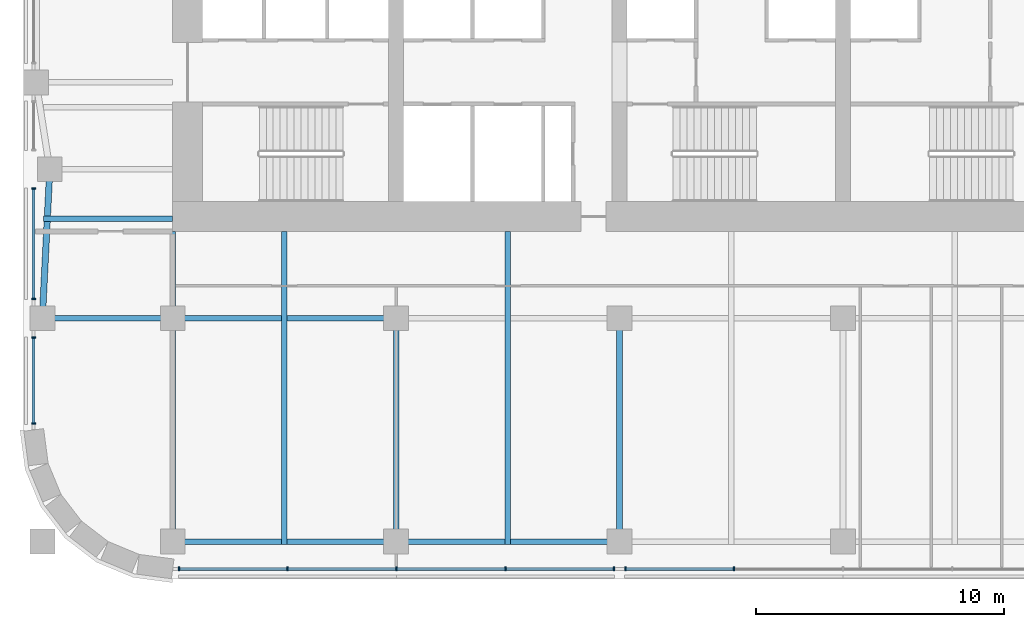
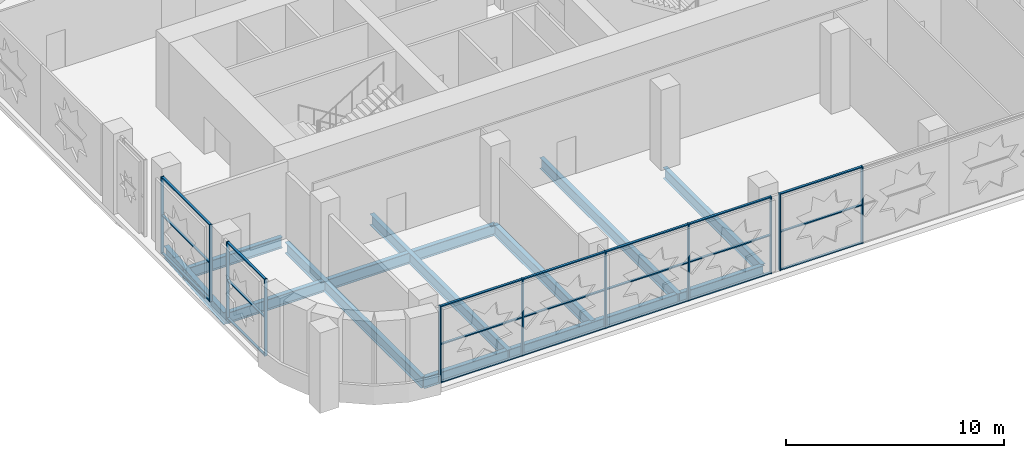
# One storey, part 2 of 24: 32 members, 9 beams, 4 elements without a shape of their own.
"""IFC4 building model written with IfcOpenShell, lengths in metres."""

from ifc_helpers import new_model, si_unit, direction, frame, origin, origin_2d, place, context, subcontext, project, spatial, rectangle, i_section, extrude, material, material_profile, profile_set, type_object, element, aggregate, save


model = new_model("IFC4")

# Units and contexts
model_context = context("Model", 3, precision=1e-05, world=origin(), true_north=direction((0.0, 1.0)))
body_context = subcontext(model_context, "Body", "Model", "MODEL_VIEW")
ifc_project = project(units=[si_unit("LENGTHUNIT", "METRE"), si_unit("AREAUNIT", "SQUARE_METRE"), si_unit("VOLUMEUNIT", "CUBIC_METRE"), si_unit("PLANEANGLEUNIT", "RADIAN"), si_unit("MASSUNIT", "GRAM", prefix="KILO")], contexts=[model_context])

# Site, building, storey
site_placement = place(None, origin())
site = spatial("IfcSite", under=ifc_project, at=site_placement, CompositionType="ELEMENT")
building_placement = place(site_placement, origin())
building = spatial("IfcBuilding", under=site, at=building_placement, Name="Zellij Exchange Tower", CompositionType="ELEMENT")
storey_placement = place(building_placement, frame((0.0, 0.0, 48.0)))
storey = spatial("IfcBuildingStorey", under=building, at=storey_placement, Name="L08", CompositionType="ELEMENT", Elevation=48.0)

# Curtain wall, members
ifc_material_1 = material(Name="Aluminium frame, clear insulating glass", Category="aluminium")
curtain_wall_type = type_object("IfcCurtainWallType", Name="ENV-CW1 Sky-garden glazing", PredefinedType="NOTDEFINED", material=ifc_material_1)
curtain_wall_1_placement = place(storey_placement, origin())
curtain_wall_1 = element("IfcCurtainWall", 1, at=curtain_wall_1_placement, inside=storey, type_object=curtain_wall_type, Name="cw.L08.00a", PredefinedType="NOTDEFINED")
ifc_material_2 = material(Name="Aluminium", Category="aluminium")
ifc_material_profile_1 = material_profile(ifc_material_2, rectangle(XDim=0.06005859375, YDim=0.159912109375, at=origin_2d()), Name="AL 60x160")
ifc_profile_set_1 = profile_set([ifc_material_profile_1], Name="Aluminium")
member_type_1 = type_object("IfcMemberType", Name="ENV-CW1M Mullion 60x160", PredefinedType="MULLION", material=ifc_profile_set_1)
member_1_placement = place(storey_placement, frame((-26.743896484375, -27.60009765625, 0.0), z_axis=(0.0, 0.0, 1.0), x_axis=(1.0, 0.0, 0.0)))
member_1 = element("IfcMember", 2, at=member_1_placement, type_object=member_type_1, Name="CW1 mullion 1", PredefinedType="MULLION", context=body_context, shape_type="SweptSolid", body=[
    extrude(rectangle(XDim=0.06005859375, YDim=0.159912109375, at=origin_2d()), origin(), (0.0, 0.0, 1.0), 4.300048828125),
])
member_2_placement = place(storey_placement, frame((-22.38037109375, -27.60009765625, 0.0), z_axis=(0.0, 0.0, 1.0), x_axis=(1.0, 0.0, 0.0)))
member_2 = element("IfcMember", 3, at=member_2_placement, type_object=member_type_1, Name="CW1 mullion 2", PredefinedType="MULLION", context=body_context, shape_type="SweptSolid", body=[
    extrude(rectangle(XDim=0.06005859375, YDim=0.159912109375, at=origin_2d()), origin(), (0.0, 0.0, 1.0), 4.300048828125),
])
member_3_placement = place(storey_placement, frame((-17.98681640625, -27.60009765625, 0.0), z_axis=(0.0, 0.0, 1.0), x_axis=(1.0, 0.0, 0.0)))
member_3 = element("IfcMember", 4, at=member_3_placement, type_object=member_type_1, Name="CW1 mullion 3", PredefinedType="MULLION", context=body_context, shape_type="SweptSolid", body=[
    extrude(rectangle(XDim=0.06005859375, YDim=0.159912109375, at=origin_2d()), origin(), (0.0, 0.0, 1.0), 4.300048828125),
])
member_4_placement = place(storey_placement, frame((-13.593505859375, -27.60009765625, 0.0), z_axis=(0.0, 0.0, 1.0), x_axis=(1.0, 0.0, 0.0)))
member_4 = element("IfcMember", 5, at=member_4_placement, type_object=member_type_1, Name="CW1 mullion 4", PredefinedType="MULLION", context=body_context, shape_type="SweptSolid", body=[
    extrude(rectangle(XDim=0.06005859375, YDim=0.159912109375, at=origin_2d()), origin(), (0.0, 0.0, 1.0), 4.300048828125),
])
member_5_placement = place(storey_placement, frame((-9.22998046875, -27.60009765625, 0.0), z_axis=(0.0, 0.0, 1.0), x_axis=(1.0, 0.0, 0.0)))
member_5 = element("IfcMember", 6, at=member_5_placement, type_object=member_type_1, Name="CW1 mullion 5", PredefinedType="MULLION", context=body_context, shape_type="SweptSolid", body=[
    extrude(rectangle(XDim=0.06005859375, YDim=0.159912109375, at=origin_2d()), origin(), (0.0, 0.0, 1.0), 4.300048828125),
])

curtain_wall_2_placement = place(storey_placement, origin())
curtain_wall_2 = element("IfcCurtainWall", 7, at=curtain_wall_2_placement, inside=storey, type_object=curtain_wall_type, Name="cw.L08.00b", PredefinedType="NOTDEFINED")
member_6_placement = place(storey_placement, frame((-8.77001953125, -27.60009765625, 0.0), z_axis=(0.0, 0.0, 1.0), x_axis=(1.0, 0.0, 0.0)))
member_6 = element("IfcMember", 8, at=member_6_placement, type_object=member_type_1, Name="CW1 mullion 1", PredefinedType="MULLION", context=body_context, shape_type="SweptSolid", body=[
    extrude(rectangle(XDim=0.06005859375, YDim=0.159912109375, at=origin_2d()), origin(), (0.0, 0.0, 1.0), 4.300048828125),
])
member_7_placement = place(storey_placement, frame((-4.39990234375, -27.60009765625, 0.0), z_axis=(0.0, 0.0, 1.0), x_axis=(1.0, 0.0, 0.0)))
member_7 = element("IfcMember", 9, at=member_7_placement, type_object=member_type_1, Name="CW1 mullion 2", PredefinedType="MULLION", context=body_context, shape_type="SweptSolid", body=[
    extrude(rectangle(XDim=0.06005859375, YDim=0.159912109375, at=origin_2d()), origin(), (0.0, 0.0, 1.0), 4.300048828125),
])

curtain_wall_3_placement = place(storey_placement, origin())
curtain_wall_3 = element("IfcCurtainWall", 10, at=curtain_wall_3_placement, inside=storey, type_object=curtain_wall_type, Name="cw.L08.21c", PredefinedType="NOTDEFINED")
member_8_placement = place(storey_placement, frame((-32.60009765625, -12.280029296875, 0.0), z_axis=(0.0, 0.0, 1.0), x_axis=(0.0, -1.0, 0.0)))
member_8 = element("IfcMember", 11, at=member_8_placement, type_object=member_type_1, Name="CW1 mullion 1", PredefinedType="MULLION", context=body_context, shape_type="SweptSolid", body=[
    extrude(rectangle(XDim=0.06005859375, YDim=0.159912109375, at=origin_2d()), origin(), (0.0, 0.0, 1.0), 4.300048828125),
])
member_9_placement = place(storey_placement, frame((-32.60009765625, -16.719970703125, 0.0), z_axis=(0.0, 0.0, 1.0), x_axis=(0.0, -1.0, 0.0)))
member_9 = element("IfcMember", 12, at=member_9_placement, type_object=member_type_1, Name="CW1 mullion 2", PredefinedType="MULLION", context=body_context, shape_type="SweptSolid", body=[
    extrude(rectangle(XDim=0.06005859375, YDim=0.159912109375, at=origin_2d()), origin(), (0.0, 0.0, 1.0), 4.300048828125),
])

curtain_wall_4_placement = place(storey_placement, origin())
curtain_wall_4 = element("IfcCurtainWall", 13, at=curtain_wall_4_placement, inside=storey, type_object=curtain_wall_type, Name="cw.L08.21d", PredefinedType="NOTDEFINED")
member_10_placement = place(storey_placement, frame((-32.60009765625, -18.280029296875, 0.0), z_axis=(0.0, 0.0, 1.0), x_axis=(0.0, -1.0, 0.0)))
member_10 = element("IfcMember", 14, at=member_10_placement, type_object=member_type_1, Name="CW1 mullion 1", PredefinedType="MULLION", context=body_context, shape_type="SweptSolid", body=[
    extrude(rectangle(XDim=0.06005859375, YDim=0.159912109375, at=origin_2d()), origin(), (0.0, 0.0, 1.0), 4.300048828125),
])
member_11_placement = place(storey_placement, frame((-32.60009765625, -21.743896484375, 0.0), z_axis=(0.0, 0.0, 1.0), x_axis=(0.0, -1.0, 0.0)))
member_11 = element("IfcMember", 15, at=member_11_placement, type_object=member_type_1, Name="CW1 mullion 2", PredefinedType="MULLION", context=body_context, shape_type="SweptSolid", body=[
    extrude(rectangle(XDim=0.06005859375, YDim=0.159912109375, at=origin_2d()), origin(), (0.0, 0.0, 1.0), 4.300048828125),
])

# Member
ifc_material_profile_2 = material_profile(ifc_material_2, rectangle(XDim=0.1201171875, YDim=0.06005859375, at=origin_2d()), Name="AL 120x60")
ifc_profile_set_2 = profile_set([ifc_material_profile_2], Name="Aluminium")
member_type_2 = type_object("IfcMemberType", Name="ENV-CW1T Transom 120x60", PredefinedType="USERDEFINED", material=ifc_profile_set_2)
member_12_placement = place(storey_placement, frame((-26.7138671875, -27.60009765625, 0.030029296875), z_axis=(1.0, 0.0, 0.0), x_axis=(0.0, 1.0, 0.0)))
member_12 = element("IfcMember", 16, at=member_12_placement, type_object=member_type_2, Name="CW1 transom 1.1", ObjectType="TRANSOM", PredefinedType="USERDEFINED", context=body_context, shape_type="SweptSolid", body=[
    extrude(rectangle(XDim=0.1201171875, YDim=0.06005859375, at=origin_2d()), origin(), (0.0, 0.0, 1.0), 4.303466796875),
])

member_13_placement = place(storey_placement, frame((-26.7138671875, -27.60009765625, 2.14990234375), z_axis=(1.0, 0.0, 0.0), x_axis=(0.0, 1.0, 0.0)))
member_13 = element("IfcMember", 17, at=member_13_placement, type_object=member_type_2, Name="CW1 transom 1.2", ObjectType="TRANSOM", PredefinedType="USERDEFINED", context=body_context, shape_type="SweptSolid", body=[
    extrude(rectangle(XDim=0.1201171875, YDim=0.06005859375, at=origin_2d()), origin(), (0.0, 0.0, 1.0), 4.303466796875),
])

member_14_placement = place(storey_placement, frame((-26.7138671875, -27.60009765625, 4.27001953125), z_axis=(1.0, 0.0, 0.0), x_axis=(0.0, 1.0, 0.0)))
member_14 = element("IfcMember", 18, at=member_14_placement, type_object=member_type_2, Name="CW1 transom 1.3", ObjectType="TRANSOM", PredefinedType="USERDEFINED", context=body_context, shape_type="SweptSolid", body=[
    extrude(rectangle(XDim=0.1201171875, YDim=0.06005859375, at=origin_2d()), origin(), (0.0, 0.0, 1.0), 4.303466796875),
])

member_15_placement = place(storey_placement, frame((-22.350341796875, -27.60009765625, 0.030029296875), z_axis=(1.0, 0.0, 0.0), x_axis=(0.0, 1.0, 0.0)))
member_15 = element("IfcMember", 19, at=member_15_placement, type_object=member_type_2, Name="CW1 transom 2.1", ObjectType="TRANSOM", PredefinedType="USERDEFINED", context=body_context, shape_type="SweptSolid", body=[
    extrude(rectangle(XDim=0.1201171875, YDim=0.06005859375, at=origin_2d()), origin(), (0.0, 0.0, 1.0), 4.33349609375),
])

member_16_placement = place(storey_placement, frame((-22.350341796875, -27.60009765625, 2.14990234375), z_axis=(1.0, 0.0, 0.0), x_axis=(0.0, 1.0, 0.0)))
member_16 = element("IfcMember", 20, at=member_16_placement, type_object=member_type_2, Name="CW1 transom 2.2", ObjectType="TRANSOM", PredefinedType="USERDEFINED", context=body_context, shape_type="SweptSolid", body=[
    extrude(rectangle(XDim=0.1201171875, YDim=0.06005859375, at=origin_2d()), origin(), (0.0, 0.0, 1.0), 4.33349609375),
])

member_17_placement = place(storey_placement, frame((-22.350341796875, -27.60009765625, 4.27001953125), z_axis=(1.0, 0.0, 0.0), x_axis=(0.0, 1.0, 0.0)))
member_17 = element("IfcMember", 21, at=member_17_placement, type_object=member_type_2, Name="CW1 transom 2.3", ObjectType="TRANSOM", PredefinedType="USERDEFINED", context=body_context, shape_type="SweptSolid", body=[
    extrude(rectangle(XDim=0.1201171875, YDim=0.06005859375, at=origin_2d()), origin(), (0.0, 0.0, 1.0), 4.33349609375),
])

member_18_placement = place(storey_placement, frame((-17.956787109375, -27.60009765625, 0.030029296875), z_axis=(1.0, 0.0, 0.0), x_axis=(0.0, 1.0, 0.0)))
member_18 = element("IfcMember", 22, at=member_18_placement, type_object=member_type_2, Name="CW1 transom 3.1", ObjectType="TRANSOM", PredefinedType="USERDEFINED", context=body_context, shape_type="SweptSolid", body=[
    extrude(rectangle(XDim=0.1201171875, YDim=0.06005859375, at=origin_2d()), origin(), (0.0, 0.0, 1.0), 4.333251953125),
])

member_19_placement = place(storey_placement, frame((-17.956787109375, -27.60009765625, 2.14990234375), z_axis=(1.0, 0.0, 0.0), x_axis=(0.0, 1.0, 0.0)))
member_19 = element("IfcMember", 23, at=member_19_placement, type_object=member_type_2, Name="CW1 transom 3.2", ObjectType="TRANSOM", PredefinedType="USERDEFINED", context=body_context, shape_type="SweptSolid", body=[
    extrude(rectangle(XDim=0.1201171875, YDim=0.06005859375, at=origin_2d()), origin(), (0.0, 0.0, 1.0), 4.333251953125),
])

member_20_placement = place(storey_placement, frame((-17.956787109375, -27.60009765625, 4.27001953125), z_axis=(1.0, 0.0, 0.0), x_axis=(0.0, 1.0, 0.0)))
member_20 = element("IfcMember", 24, at=member_20_placement, type_object=member_type_2, Name="CW1 transom 3.3", ObjectType="TRANSOM", PredefinedType="USERDEFINED", context=body_context, shape_type="SweptSolid", body=[
    extrude(rectangle(XDim=0.1201171875, YDim=0.06005859375, at=origin_2d()), origin(), (0.0, 0.0, 1.0), 4.333251953125),
])

member_21_placement = place(storey_placement, frame((-13.5634765625, -27.60009765625, 0.030029296875), z_axis=(1.0, 0.0, 0.0), x_axis=(0.0, 1.0, 0.0)))
member_21 = element("IfcMember", 25, at=member_21_placement, type_object=member_type_2, Name="CW1 transom 4.1", ObjectType="TRANSOM", PredefinedType="USERDEFINED", context=body_context, shape_type="SweptSolid", body=[
    extrude(rectangle(XDim=0.1201171875, YDim=0.06005859375, at=origin_2d()), origin(), (0.0, 0.0, 1.0), 4.303466796875),
])

member_22_placement = place(storey_placement, frame((-13.5634765625, -27.60009765625, 2.14990234375), z_axis=(1.0, 0.0, 0.0), x_axis=(0.0, 1.0, 0.0)))
member_22 = element("IfcMember", 26, at=member_22_placement, type_object=member_type_2, Name="CW1 transom 4.2", ObjectType="TRANSOM", PredefinedType="USERDEFINED", context=body_context, shape_type="SweptSolid", body=[
    extrude(rectangle(XDim=0.1201171875, YDim=0.06005859375, at=origin_2d()), origin(), (0.0, 0.0, 1.0), 4.303466796875),
])

member_23_placement = place(storey_placement, frame((-13.5634765625, -27.60009765625, 4.27001953125), z_axis=(1.0, 0.0, 0.0), x_axis=(0.0, 1.0, 0.0)))
member_23 = element("IfcMember", 27, at=member_23_placement, type_object=member_type_2, Name="CW1 transom 4.3", ObjectType="TRANSOM", PredefinedType="USERDEFINED", context=body_context, shape_type="SweptSolid", body=[
    extrude(rectangle(XDim=0.1201171875, YDim=0.06005859375, at=origin_2d()), origin(), (0.0, 0.0, 1.0), 4.303466796875),
])

aggregate(curtain_wall_1, [member_1, member_2, member_3, member_4, member_5, member_12, member_13, member_14, member_15, member_16, member_17, member_18, member_19, member_20, member_21, member_22, member_23])

member_24_placement = place(storey_placement, frame((-8.739990234375, -27.60009765625, 0.030029296875), z_axis=(1.0, 0.0, 0.0), x_axis=(0.0, 1.0, 0.0)))
member_24 = element("IfcMember", 28, at=member_24_placement, type_object=member_type_2, Name="CW1 transom 1.1", ObjectType="TRANSOM", PredefinedType="USERDEFINED", context=body_context, shape_type="SweptSolid", body=[
    extrude(rectangle(XDim=0.1201171875, YDim=0.06005859375, at=origin_2d()), origin(), (0.0, 0.0, 1.0), 4.31005859375),
])

member_25_placement = place(storey_placement, frame((-8.739990234375, -27.60009765625, 2.14990234375), z_axis=(1.0, 0.0, 0.0), x_axis=(0.0, 1.0, 0.0)))
member_25 = element("IfcMember", 29, at=member_25_placement, type_object=member_type_2, Name="CW1 transom 1.2", ObjectType="TRANSOM", PredefinedType="USERDEFINED", context=body_context, shape_type="SweptSolid", body=[
    extrude(rectangle(XDim=0.1201171875, YDim=0.06005859375, at=origin_2d()), origin(), (0.0, 0.0, 1.0), 4.31005859375),
])

member_26_placement = place(storey_placement, frame((-8.739990234375, -27.60009765625, 4.27001953125), z_axis=(1.0, 0.0, 0.0), x_axis=(0.0, 1.0, 0.0)))
member_26 = element("IfcMember", 30, at=member_26_placement, type_object=member_type_2, Name="CW1 transom 1.3", ObjectType="TRANSOM", PredefinedType="USERDEFINED", context=body_context, shape_type="SweptSolid", body=[
    extrude(rectangle(XDim=0.1201171875, YDim=0.06005859375, at=origin_2d()), origin(), (0.0, 0.0, 1.0), 4.31005859375),
])

aggregate(curtain_wall_2, [member_6, member_7, member_24, member_25, member_26])

member_27_placement = place(storey_placement, frame((-32.60009765625, -12.31005859375, 0.030029296875), z_axis=(0.0, -1.0, 0.0), x_axis=(1.0, 0.0, 0.0)))
member_27 = element("IfcMember", 31, at=member_27_placement, type_object=member_type_2, Name="CW1 transom 1.1", ObjectType="TRANSOM", PredefinedType="USERDEFINED", context=body_context, shape_type="SweptSolid", body=[
    extrude(rectangle(XDim=0.1201171875, YDim=0.06005859375, at=origin_2d()), origin(), (0.0, 0.0, 1.0), 4.3798828125),
])

member_28_placement = place(storey_placement, frame((-32.60009765625, -12.31005859375, 2.14990234375), z_axis=(0.0, -1.0, 0.0), x_axis=(1.0, 0.0, 0.0)))
member_28 = element("IfcMember", 32, at=member_28_placement, type_object=member_type_2, Name="CW1 transom 1.2", ObjectType="TRANSOM", PredefinedType="USERDEFINED", context=body_context, shape_type="SweptSolid", body=[
    extrude(rectangle(XDim=0.1201171875, YDim=0.06005859375, at=origin_2d()), origin(), (0.0, 0.0, 1.0), 4.3798828125),
])

member_29_placement = place(storey_placement, frame((-32.60009765625, -12.31005859375, 4.27001953125), z_axis=(0.0, -1.0, 0.0), x_axis=(1.0, 0.0, 0.0)))
member_29 = element("IfcMember", 33, at=member_29_placement, type_object=member_type_2, Name="CW1 transom 1.3", ObjectType="TRANSOM", PredefinedType="USERDEFINED", context=body_context, shape_type="SweptSolid", body=[
    extrude(rectangle(XDim=0.1201171875, YDim=0.06005859375, at=origin_2d()), origin(), (0.0, 0.0, 1.0), 4.3798828125),
])

aggregate(curtain_wall_3, [member_8, member_9, member_27, member_28, member_29])

member_30_placement = place(storey_placement, frame((-32.60009765625, -18.31005859375, 0.030029296875), z_axis=(0.0, -1.0, 0.0), x_axis=(1.0, 0.0, 0.0)))
member_30 = element("IfcMember", 34, at=member_30_placement, type_object=member_type_2, Name="CW1 transom 1.1", ObjectType="TRANSOM", PredefinedType="USERDEFINED", context=body_context, shape_type="SweptSolid", body=[
    extrude(rectangle(XDim=0.1201171875, YDim=0.06005859375, at=origin_2d()), origin(), (0.0, 0.0, 1.0), 3.40380859375),
])

member_31_placement = place(storey_placement, frame((-32.60009765625, -18.31005859375, 2.14990234375), z_axis=(0.0, -1.0, 0.0), x_axis=(1.0, 0.0, 0.0)))
member_31 = element("IfcMember", 35, at=member_31_placement, type_object=member_type_2, Name="CW1 transom 1.2", ObjectType="TRANSOM", PredefinedType="USERDEFINED", context=body_context, shape_type="SweptSolid", body=[
    extrude(rectangle(XDim=0.1201171875, YDim=0.06005859375, at=origin_2d()), origin(), (0.0, 0.0, 1.0), 3.40380859375),
])

member_32_placement = place(storey_placement, frame((-32.60009765625, -18.31005859375, 4.27001953125), z_axis=(0.0, -1.0, 0.0), x_axis=(1.0, 0.0, 0.0)))
member_32 = element("IfcMember", 36, at=member_32_placement, type_object=member_type_2, Name="CW1 transom 1.3", ObjectType="TRANSOM", PredefinedType="USERDEFINED", context=body_context, shape_type="SweptSolid", body=[
    extrude(rectangle(XDim=0.1201171875, YDim=0.06005859375, at=origin_2d()), origin(), (0.0, 0.0, 1.0), 3.40380859375),
])

aggregate(curtain_wall_4, [member_10, member_11, member_30, member_31, member_32])

# Beams
ifc_material_3 = material(Name="Structural steel ASTM A992 Gr 50", Category="steel")
ifc_material_profile_3 = material_profile(ifc_material_3, i_section(OverallWidth=0.22900390625, OverallDepth=0.612060546875, WebThickness=0.011962890625, FlangeThickness=0.01953125, at=origin_2d()), Name="W24x84")
ifc_profile_set_3 = profile_set([ifc_material_profile_3], Name="Structural steel ASTM A992 Gr 50")
beam_type_1 = type_object("IfcBeamType", Name="STR-BEAM W24x84", PredefinedType="BEAM", material=ifc_profile_set_3)
for number, where, z_axis, x_axis, name in (
    (37, (-22.5, -26.614501953125, -0.55615234375), (0.0, 1.0, 0.0), (-1.0, 0.0, 0.0), "B6"),
    (38, (-13.5, -26.614501953125, -0.55615234375), (0.0, 1.0, 0.0), (-1.0, 0.0, 0.0), "B6"),
):
    element("IfcBeam", number, at=place(storey_placement, frame(where, z_axis=z_axis, x_axis=x_axis)), inside=storey, type_object=beam_type_1, Name=name, PredefinedType="BEAM", context=body_context, shape_type="SweptSolid", body=[
        extrude(i_section(OverallWidth=0.22900390625, OverallDepth=0.612060546875, WebThickness=0.011962890625, FlangeThickness=0.01953125, at=origin_2d()), origin(), (0.0, 0.0, 1.0), 12.614501953125),
    ])
beam_1_placement = place(storey_placement, frame((-32.199951171875, -13.5, -0.55615234375), z_axis=(1.0, 0.0, 0.0), x_axis=(0.0, 1.0, 0.0)))
element("IfcBeam", 39, at=beam_1_placement, inside=storey, type_object=beam_type_1, Name="B6", PredefinedType="BEAM", context=body_context, shape_type="SweptSolid", body=[
    extrude(i_section(OverallWidth=0.22900390625, OverallDepth=0.612060546875, WebThickness=0.011962890625, FlangeThickness=0.01953125, at=origin_2d()), origin(), (0.0, 0.0, 1.0), 5.199951171875),
])
ifc_material_profile_4 = material_profile(ifc_material_3, i_section(OverallWidth=0.25390625, OverallDepth=0.67822265625, WebThickness=0.01171875, FlangeThickness=0.016357421875, at=origin_2d()), Name="W27x84")
ifc_profile_set_4 = profile_set([ifc_material_profile_4], Name="Structural steel ASTM A992 Gr 50")
beam_type_2 = type_object("IfcBeamType", Name="STR-EDGE GIRDER W27x84", PredefinedType="BEAM", material=ifc_profile_set_4)
beam_2_placement = place(storey_placement, frame((-32.25, -17.5, -0.589111328125), z_axis=(0.049945724537, 0.998751933465, 0.0), x_axis=(-0.998751933465, 0.049945724537, 0.0)))
element("IfcBeam", 40, at=beam_2_placement, inside=storey, type_object=beam_type_2, Name="EB7", PredefinedType="BEAM", context=body_context, shape_type="SweptSolid", body=[
    extrude(i_section(OverallWidth=0.25390625, OverallDepth=0.67822265625, WebThickness=0.01171875, FlangeThickness=0.016357421875, at=origin_2d()), origin(), (0.0, 0.0, 1.0), 6.007568359375),
])
ifc_material_profile_5 = material_profile(ifc_material_3, i_section(OverallWidth=0.22900390625, OverallDepth=0.612060546875, WebThickness=0.011962890625, FlangeThickness=0.01953125, at=origin_2d()), Name="W24x84")
ifc_profile_set_5 = profile_set([ifc_material_profile_5], Name="Structural steel ASTM A992 Gr 50")
beam_type_3 = type_object("IfcBeamType", Name="STR-GIRDER W24x84", PredefinedType="BEAM", material=ifc_profile_set_5)
beam_3_placement = place(storey_placement, frame((-27.0, -26.5, -0.55615234375), z_axis=(1.0, 0.0, 0.0), x_axis=(0.0, 1.0, 0.0)))
element("IfcBeam", 41, at=beam_3_placement, inside=storey, type_object=beam_type_3, Name="G4", PredefinedType="BEAM", context=body_context, shape_type="SweptSolid", body=[
    extrude(i_section(OverallWidth=0.22900390625, OverallDepth=0.612060546875, WebThickness=0.011962890625, FlangeThickness=0.01953125, at=origin_2d()), origin(), (0.0, 0.0, 1.0), 18.0),
])
beam_4_placement = place(storey_placement, frame((-32.25, -17.5, -0.55615234375), z_axis=(1.0, 0.0, 0.0), x_axis=(0.0, 1.0, 0.0)))
element("IfcBeam", 42, at=beam_4_placement, inside=storey, type_object=beam_type_3, Name="G4", PredefinedType="BEAM", context=body_context, shape_type="SweptSolid", body=[
    extrude(i_section(OverallWidth=0.22900390625, OverallDepth=0.612060546875, WebThickness=0.011962890625, FlangeThickness=0.01953125, at=origin_2d()), origin(), (0.0, 0.0, 1.0), 14.25),
])
beam_5_placement = place(storey_placement, frame((-27.0, -26.5, -0.55615234375), z_axis=(0.0, 1.0, 0.0), x_axis=(-1.0, 0.0, 0.0)))
element("IfcBeam", 43, at=beam_5_placement, inside=storey, type_object=beam_type_3, Name="G4", PredefinedType="BEAM", context=body_context, shape_type="SweptSolid", body=[
    extrude(i_section(OverallWidth=0.22900390625, OverallDepth=0.612060546875, WebThickness=0.011962890625, FlangeThickness=0.01953125, at=origin_2d()), origin(), (0.0, 0.0, 1.0), 12.5),
])
for number, where, z_axis, x_axis, name in (
    (44, (-18.0, -26.5, -0.55615234375), (0.0, 1.0, 0.0), (-1.0, 0.0, 0.0), "G4"),
    (45, (-9.0, -26.5, -0.55615234375), (0.0, 1.0, 0.0), (-1.0, 0.0, 0.0), "G4"),
):
    element("IfcBeam", number, at=place(storey_placement, frame(where, z_axis=z_axis, x_axis=x_axis)), inside=storey, type_object=beam_type_3, Name=name, PredefinedType="BEAM", context=body_context, shape_type="SweptSolid", body=[
        extrude(i_section(OverallWidth=0.22900390625, OverallDepth=0.612060546875, WebThickness=0.011962890625, FlangeThickness=0.01953125, at=origin_2d()), origin(), (0.0, 0.0, 1.0), 9.0),
    ])

save(model, "model.ifc")
